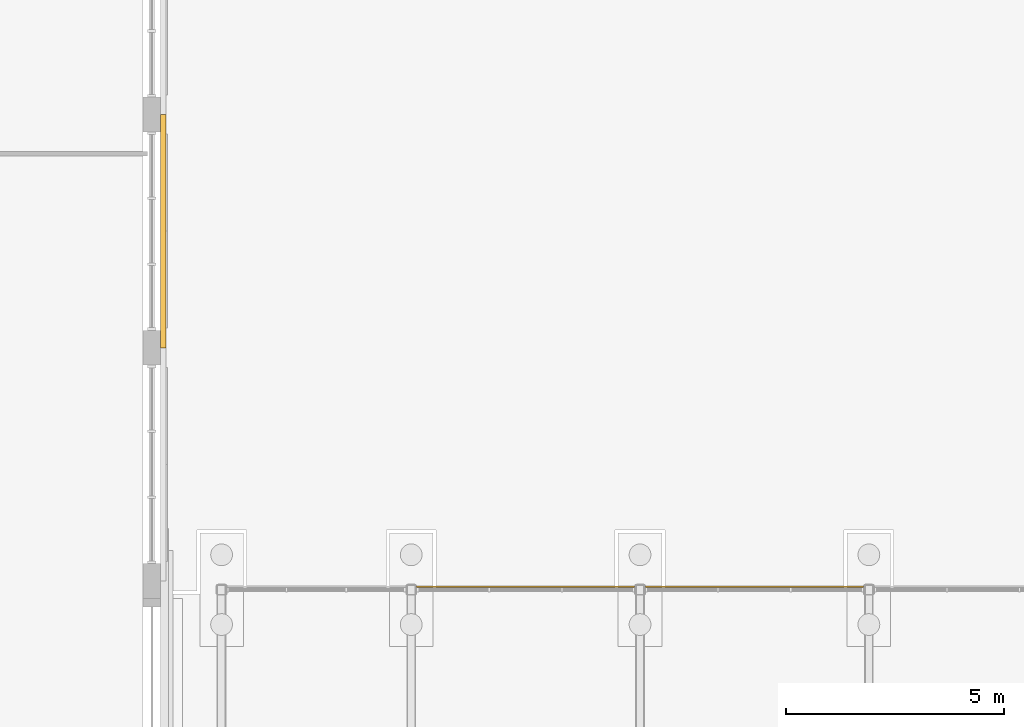
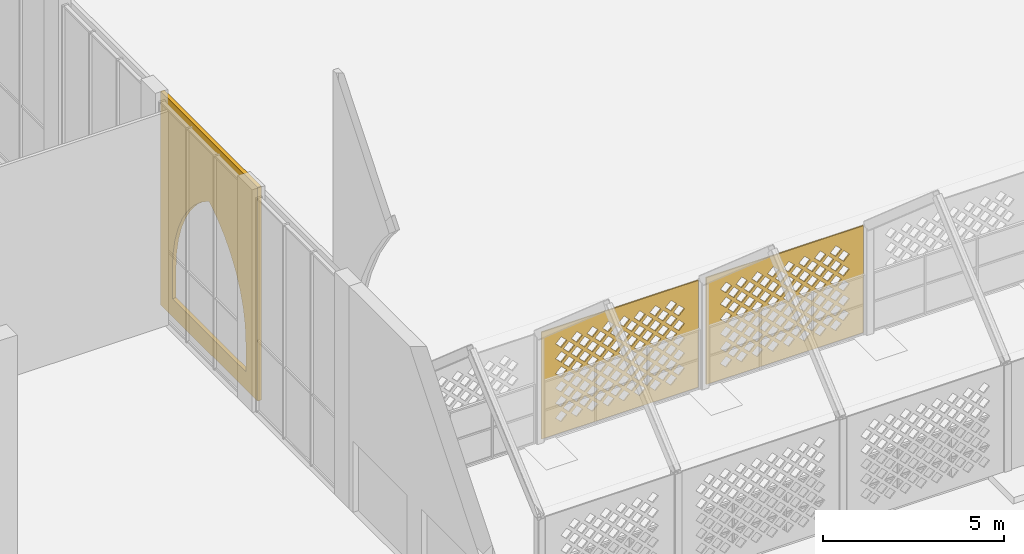
# One storey, part 67 of 79: 3 coverings.
"""IFC4 building model written with IfcOpenShell, lengths in metres."""

from ifc_helpers import new_model, si_unit, direction, frame, origin, place, context, subcontext, project, spatial, polyline, outline, extrude, material, layer, layer_set, type_object, element, save


model = new_model("IFC4")

# Units and contexts
model_context = context("Model", 3, precision=1e-05, world=origin(), true_north=direction((0.0, 1.0)))
body_context = subcontext(model_context, "Body", "Model", "MODEL_VIEW")
ifc_project = project(units=[si_unit("LENGTHUNIT", "METRE"), si_unit("AREAUNIT", "SQUARE_METRE"), si_unit("VOLUMEUNIT", "CUBIC_METRE"), si_unit("PLANEANGLEUNIT", "RADIAN"), si_unit("MASSUNIT", "GRAM", prefix="KILO")], contexts=[model_context])

# Site, building, storey
site_placement = place(None, origin())
site = spatial("IfcSite", under=ifc_project, at=site_placement, CompositionType="ELEMENT")
building_placement = place(site_placement, origin())
building = spatial("IfcBuilding", under=site, at=building_placement, Name="Noorbagh Ring Tower", CompositionType="ELEMENT")
storey_placement = place(building_placement, origin())
storey = spatial("IfcBuildingStorey", under=building, at=storey_placement, Name="L00", CompositionType="ELEMENT", Elevation=0.0)

# Coverings
ifc_material_1 = material(Name="Red sandstone jali", Category="masonry")
ifc_layer_1 = layer(ifc_material_1, 0.0400390625)
ifc_layer_set_1 = layer_set([ifc_layer_1], Name="Red sandstone jali")
covering_type_1 = type_object("IfcCoveringType", Name="AR-JALI", PredefinedType="USERDEFINED", material=ifc_layer_set_1)
covering_1_placement = place(storey_placement, frame((-84.125, 8.889892578125, 0.0), z_axis=(0.0, 1.0, 0.0), x_axis=(-1.0, 0.0, 0.0)))
element("IfcCovering", 1, at=covering_1_placement, inside=storey, type_object=covering_type_1, Name="Jali screen", ObjectType="SCREEN", PredefinedType="USERDEFINED", context=body_context, shape_type="SweptSolid", body=[
    extrude(outline(polyline([(0.0, 0.0), (5.0, 0.0), (5.0, 3.60009765625), (0.0, 3.60009765625), (0.0, 0.0)]), holes=[polyline([(0.695068359375, 0.550048828125), (0.875, 0.3701171875), (1.054931640625, 0.550048828125), (0.875, 0.72998046875), (0.695068359375, 0.550048828125)]), polyline([(1.195068359375, 0.550048828125), (1.375, 0.3701171875), (1.554931640625, 0.550048828125), (1.375, 0.72998046875), (1.195068359375, 0.550048828125)]), polyline([(1.695068359375, 0.550048828125), (1.875, 0.3701171875), (2.054931640625, 0.550048828125), (1.875, 0.72998046875), (1.695068359375, 0.550048828125)]), polyline([(2.195068359375, 0.550048828125), (2.375, 0.3701171875), (2.554931640625, 0.550048828125), (2.375, 0.72998046875), (2.195068359375, 0.550048828125)]), polyline([(2.695068359375, 0.550048828125), (2.875, 0.3701171875), (3.054931640625, 0.550048828125), (2.875, 0.72998046875), (2.695068359375, 0.550048828125)]), polyline([(3.195068359375, 0.550048828125), (3.375, 0.3701171875), (3.554931640625, 0.550048828125), (3.375, 0.72998046875), (3.195068359375, 0.550048828125)]), polyline([(3.695068359375, 0.550048828125), (3.875, 0.3701171875), (4.054931640625, 0.550048828125), (3.875, 0.72998046875), (3.695068359375, 0.550048828125)]), polyline([(4.195068359375, 0.550048828125), (4.375, 0.3701171875), (4.554931640625, 0.550048828125), (4.375, 0.72998046875), (4.195068359375, 0.550048828125)]), polyline([(0.445068359375, 0.800048828125), (0.625, 0.6201171875), (0.804931640625, 0.800048828125), (0.625, 0.97998046875), (0.445068359375, 0.800048828125)]), polyline([(0.945068359375, 0.800048828125), (1.125, 0.6201171875), (1.304931640625, 0.800048828125), (1.125, 0.97998046875), (0.945068359375, 0.800048828125)]), polyline([(1.445068359375, 0.800048828125), (1.625, 0.6201171875), (1.804931640625, 0.800048828125), (1.625, 0.97998046875), (1.445068359375, 0.800048828125)]), polyline([(1.945068359375, 0.800048828125), (2.125, 0.6201171875), (2.304931640625, 0.800048828125), (2.125, 0.97998046875), (1.945068359375, 0.800048828125)]), polyline([(2.445068359375, 0.800048828125), (2.625, 0.6201171875), (2.804931640625, 0.800048828125), (2.625, 0.97998046875), (2.445068359375, 0.800048828125)]), polyline([(2.945068359375, 0.800048828125), (3.125, 0.6201171875), (3.304931640625, 0.800048828125), (3.125, 0.97998046875), (2.945068359375, 0.800048828125)]), polyline([(3.445068359375, 0.800048828125), (3.625, 0.6201171875), (3.804931640625, 0.800048828125), (3.625, 0.97998046875), (3.445068359375, 0.800048828125)]), polyline([(3.945068359375, 0.800048828125), (4.125, 0.6201171875), (4.304931640625, 0.800048828125), (4.125, 0.97998046875), (3.945068359375, 0.800048828125)]), polyline([(0.695068359375, 1.050048828125), (0.875, 0.8701171875), (1.054931640625, 1.050048828125), (0.875, 1.22998046875), (0.695068359375, 1.050048828125)]), polyline([(1.195068359375, 1.050048828125), (1.375, 0.8701171875), (1.554931640625, 1.050048828125), (1.375, 1.22998046875), (1.195068359375, 1.050048828125)]), polyline([(1.695068359375, 1.050048828125), (1.875, 0.8701171875), (2.054931640625, 1.050048828125), (1.875, 1.22998046875), (1.695068359375, 1.050048828125)]), polyline([(2.195068359375, 1.050048828125), (2.375, 0.8701171875), (2.554931640625, 1.050048828125), (2.375, 1.22998046875), (2.195068359375, 1.050048828125)]), polyline([(2.695068359375, 1.050048828125), (2.875, 0.8701171875), (3.054931640625, 1.050048828125), (2.875, 1.22998046875), (2.695068359375, 1.050048828125)]), polyline([(3.195068359375, 1.050048828125), (3.375, 0.8701171875), (3.554931640625, 1.050048828125), (3.375, 1.22998046875), (3.195068359375, 1.050048828125)]), polyline([(3.695068359375, 1.050048828125), (3.875, 0.8701171875), (4.054931640625, 1.050048828125), (3.875, 1.22998046875), (3.695068359375, 1.050048828125)]), polyline([(4.195068359375, 1.050048828125), (4.375, 0.8701171875), (4.554931640625, 1.050048828125), (4.375, 1.22998046875), (4.195068359375, 1.050048828125)]), polyline([(0.445068359375, 1.300048828125), (0.625, 1.1201171875), (0.804931640625, 1.300048828125), (0.625, 1.47998046875), (0.445068359375, 1.300048828125)]), polyline([(0.945068359375, 1.300048828125), (1.125, 1.1201171875), (1.304931640625, 1.300048828125), (1.125, 1.47998046875), (0.945068359375, 1.300048828125)]), polyline([(1.445068359375, 1.300048828125), (1.625, 1.1201171875), (1.804931640625, 1.300048828125), (1.625, 1.47998046875), (1.445068359375, 1.300048828125)]), polyline([(1.945068359375, 1.300048828125), (2.125, 1.1201171875), (2.304931640625, 1.300048828125), (2.125, 1.47998046875), (1.945068359375, 1.300048828125)]), polyline([(2.445068359375, 1.300048828125), (2.625, 1.1201171875), (2.804931640625, 1.300048828125), (2.625, 1.47998046875), (2.445068359375, 1.300048828125)]), polyline([(2.945068359375, 1.300048828125), (3.125, 1.1201171875), (3.304931640625, 1.300048828125), (3.125, 1.47998046875), (2.945068359375, 1.300048828125)]), polyline([(3.445068359375, 1.300048828125), (3.625, 1.1201171875), (3.804931640625, 1.300048828125), (3.625, 1.47998046875), (3.445068359375, 1.300048828125)]), polyline([(3.945068359375, 1.300048828125), (4.125, 1.1201171875), (4.304931640625, 1.300048828125), (4.125, 1.47998046875), (3.945068359375, 1.300048828125)]), polyline([(0.695068359375, 1.550048828125), (0.875, 1.3701171875), (1.054931640625, 1.550048828125), (0.875, 1.72998046875), (0.695068359375, 1.550048828125)]), polyline([(1.195068359375, 1.550048828125), (1.375, 1.3701171875), (1.554931640625, 1.550048828125), (1.375, 1.72998046875), (1.195068359375, 1.550048828125)]), polyline([(1.695068359375, 1.550048828125), (1.875, 1.3701171875), (2.054931640625, 1.550048828125), (1.875, 1.72998046875), (1.695068359375, 1.550048828125)]), polyline([(2.195068359375, 1.550048828125), (2.375, 1.3701171875), (2.554931640625, 1.550048828125), (2.375, 1.72998046875), (2.195068359375, 1.550048828125)]), polyline([(2.695068359375, 1.550048828125), (2.875, 1.3701171875), (3.054931640625, 1.550048828125), (2.875, 1.72998046875), (2.695068359375, 1.550048828125)]), polyline([(3.195068359375, 1.550048828125), (3.375, 1.3701171875), (3.554931640625, 1.550048828125), (3.375, 1.72998046875), (3.195068359375, 1.550048828125)]), polyline([(3.695068359375, 1.550048828125), (3.875, 1.3701171875), (4.054931640625, 1.550048828125), (3.875, 1.72998046875), (3.695068359375, 1.550048828125)]), polyline([(4.195068359375, 1.550048828125), (4.375, 1.3701171875), (4.554931640625, 1.550048828125), (4.375, 1.72998046875), (4.195068359375, 1.550048828125)]), polyline([(0.445068359375, 1.800048828125), (0.625, 1.6201171875), (0.804931640625, 1.800048828125), (0.625, 1.97998046875), (0.445068359375, 1.800048828125)]), polyline([(0.945068359375, 1.800048828125), (1.125, 1.6201171875), (1.304931640625, 1.800048828125), (1.125, 1.97998046875), (0.945068359375, 1.800048828125)]), polyline([(1.445068359375, 1.800048828125), (1.625, 1.6201171875), (1.804931640625, 1.800048828125), (1.625, 1.97998046875), (1.445068359375, 1.800048828125)]), polyline([(1.945068359375, 1.800048828125), (2.125, 1.6201171875), (2.304931640625, 1.800048828125), (2.125, 1.97998046875), (1.945068359375, 1.800048828125)]), polyline([(2.445068359375, 1.800048828125), (2.625, 1.6201171875), (2.804931640625, 1.800048828125), (2.625, 1.97998046875), (2.445068359375, 1.800048828125)]), polyline([(2.945068359375, 1.800048828125), (3.125, 1.6201171875), (3.304931640625, 1.800048828125), (3.125, 1.97998046875), (2.945068359375, 1.800048828125)]), polyline([(3.445068359375, 1.800048828125), (3.625, 1.6201171875), (3.804931640625, 1.800048828125), (3.625, 1.97998046875), (3.445068359375, 1.800048828125)]), polyline([(3.945068359375, 1.800048828125), (4.125, 1.6201171875), (4.304931640625, 1.800048828125), (4.125, 1.97998046875), (3.945068359375, 1.800048828125)]), polyline([(0.695068359375, 2.050048828125), (0.875, 1.8701171875), (1.054931640625, 2.050048828125), (0.875, 2.22998046875), (0.695068359375, 2.050048828125)]), polyline([(1.195068359375, 2.050048828125), (1.375, 1.8701171875), (1.554931640625, 2.050048828125), (1.375, 2.22998046875), (1.195068359375, 2.050048828125)]), polyline([(1.695068359375, 2.050048828125), (1.875, 1.8701171875), (2.054931640625, 2.050048828125), (1.875, 2.22998046875), (1.695068359375, 2.050048828125)]), polyline([(2.195068359375, 2.050048828125), (2.375, 1.8701171875), (2.554931640625, 2.050048828125), (2.375, 2.22998046875), (2.195068359375, 2.050048828125)]), polyline([(2.695068359375, 2.050048828125), (2.875, 1.8701171875), (3.054931640625, 2.050048828125), (2.875, 2.22998046875), (2.695068359375, 2.050048828125)]), polyline([(3.195068359375, 2.050048828125), (3.375, 1.8701171875), (3.554931640625, 2.050048828125), (3.375, 2.22998046875), (3.195068359375, 2.050048828125)]), polyline([(3.695068359375, 2.050048828125), (3.875, 1.8701171875), (4.054931640625, 2.050048828125), (3.875, 2.22998046875), (3.695068359375, 2.050048828125)]), polyline([(4.195068359375, 2.050048828125), (4.375, 1.8701171875), (4.554931640625, 2.050048828125), (4.375, 2.22998046875), (4.195068359375, 2.050048828125)]), polyline([(0.445068359375, 2.300048828125), (0.625, 2.1201171875), (0.804931640625, 2.300048828125), (0.625, 2.47998046875), (0.445068359375, 2.300048828125)]), polyline([(0.945068359375, 2.300048828125), (1.125, 2.1201171875), (1.304931640625, 2.300048828125), (1.125, 2.47998046875), (0.945068359375, 2.300048828125)]), polyline([(1.445068359375, 2.300048828125), (1.625, 2.1201171875), (1.804931640625, 2.300048828125), (1.625, 2.47998046875), (1.445068359375, 2.300048828125)]), polyline([(1.945068359375, 2.300048828125), (2.125, 2.1201171875), (2.304931640625, 2.300048828125), (2.125, 2.47998046875), (1.945068359375, 2.300048828125)]), polyline([(2.445068359375, 2.300048828125), (2.625, 2.1201171875), (2.804931640625, 2.300048828125), (2.625, 2.47998046875), (2.445068359375, 2.300048828125)]), polyline([(2.945068359375, 2.300048828125), (3.125, 2.1201171875), (3.304931640625, 2.300048828125), (3.125, 2.47998046875), (2.945068359375, 2.300048828125)]), polyline([(3.445068359375, 2.300048828125), (3.625, 2.1201171875), (3.804931640625, 2.300048828125), (3.625, 2.47998046875), (3.445068359375, 2.300048828125)]), polyline([(3.945068359375, 2.300048828125), (4.125, 2.1201171875), (4.304931640625, 2.300048828125), (4.125, 2.47998046875), (3.945068359375, 2.300048828125)]), polyline([(0.695068359375, 2.550048828125), (0.875, 2.3701171875), (1.054931640625, 2.550048828125), (0.875, 2.72998046875), (0.695068359375, 2.550048828125)]), polyline([(1.195068359375, 2.550048828125), (1.375, 2.3701171875), (1.554931640625, 2.550048828125), (1.375, 2.72998046875), (1.195068359375, 2.550048828125)]), polyline([(1.695068359375, 2.550048828125), (1.875, 2.3701171875), (2.054931640625, 2.550048828125), (1.875, 2.72998046875), (1.695068359375, 2.550048828125)]), polyline([(2.195068359375, 2.550048828125), (2.375, 2.3701171875), (2.554931640625, 2.550048828125), (2.375, 2.72998046875), (2.195068359375, 2.550048828125)]), polyline([(2.695068359375, 2.550048828125), (2.875, 2.3701171875), (3.054931640625, 2.550048828125), (2.875, 2.72998046875), (2.695068359375, 2.550048828125)]), polyline([(3.195068359375, 2.550048828125), (3.375, 2.3701171875), (3.554931640625, 2.550048828125), (3.375, 2.72998046875), (3.195068359375, 2.550048828125)]), polyline([(3.695068359375, 2.550048828125), (3.875, 2.3701171875), (4.054931640625, 2.550048828125), (3.875, 2.72998046875), (3.695068359375, 2.550048828125)]), polyline([(4.195068359375, 2.550048828125), (4.375, 2.3701171875), (4.554931640625, 2.550048828125), (4.375, 2.72998046875), (4.195068359375, 2.550048828125)]), polyline([(0.445068359375, 2.800048828125), (0.625, 2.6201171875), (0.804931640625, 2.800048828125), (0.625, 2.97998046875), (0.445068359375, 2.800048828125)]), polyline([(0.945068359375, 2.800048828125), (1.125, 2.6201171875), (1.304931640625, 2.800048828125), (1.125, 2.97998046875), (0.945068359375, 2.800048828125)]), polyline([(1.445068359375, 2.800048828125), (1.625, 2.6201171875), (1.804931640625, 2.800048828125), (1.625, 2.97998046875), (1.445068359375, 2.800048828125)]), polyline([(1.945068359375, 2.800048828125), (2.125, 2.6201171875), (2.304931640625, 2.800048828125), (2.125, 2.97998046875), (1.945068359375, 2.800048828125)]), polyline([(2.445068359375, 2.800048828125), (2.625, 2.6201171875), (2.804931640625, 2.800048828125), (2.625, 2.97998046875), (2.445068359375, 2.800048828125)]), polyline([(2.945068359375, 2.800048828125), (3.125, 2.6201171875), (3.304931640625, 2.800048828125), (3.125, 2.97998046875), (2.945068359375, 2.800048828125)]), polyline([(3.445068359375, 2.800048828125), (3.625, 2.6201171875), (3.804931640625, 2.800048828125), (3.625, 2.97998046875), (3.445068359375, 2.800048828125)]), polyline([(3.945068359375, 2.800048828125), (4.125, 2.6201171875), (4.304931640625, 2.800048828125), (4.125, 2.97998046875), (3.945068359375, 2.800048828125)]), polyline([(0.695068359375, 3.050048828125), (0.875, 2.8701171875), (1.054931640625, 3.050048828125), (0.875, 3.22998046875), (0.695068359375, 3.050048828125)]), polyline([(1.195068359375, 3.050048828125), (1.375, 2.8701171875), (1.554931640625, 3.050048828125), (1.375, 3.22998046875), (1.195068359375, 3.050048828125)]), polyline([(1.695068359375, 3.050048828125), (1.875, 2.8701171875), (2.054931640625, 3.050048828125), (1.875, 3.22998046875), (1.695068359375, 3.050048828125)]), polyline([(2.195068359375, 3.050048828125), (2.375, 2.8701171875), (2.554931640625, 3.050048828125), (2.375, 3.22998046875), (2.195068359375, 3.050048828125)]), polyline([(2.695068359375, 3.050048828125), (2.875, 2.8701171875), (3.054931640625, 3.050048828125), (2.875, 3.22998046875), (2.695068359375, 3.050048828125)]), polyline([(3.195068359375, 3.050048828125), (3.375, 2.8701171875), (3.554931640625, 3.050048828125), (3.375, 3.22998046875), (3.195068359375, 3.050048828125)]), polyline([(3.695068359375, 3.050048828125), (3.875, 2.8701171875), (4.054931640625, 3.050048828125), (3.875, 3.22998046875), (3.695068359375, 3.050048828125)]), polyline([(4.195068359375, 3.050048828125), (4.375, 2.8701171875), (4.554931640625, 3.050048828125), (4.375, 3.22998046875), (4.195068359375, 3.050048828125)])]), origin(), (0.0, 0.0, -1.0), 0.0400390625),
])
covering_2_placement = place(storey_placement, frame((-78.875, 8.889892578125, 0.0), z_axis=(0.0, 1.0, 0.0), x_axis=(-1.0, 0.0, 0.0)))
element("IfcCovering", 2, at=covering_2_placement, inside=storey, type_object=covering_type_1, Name="Jali screen", ObjectType="SCREEN", PredefinedType="USERDEFINED", context=body_context, shape_type="SweptSolid", body=[
    extrude(outline(polyline([(0.0, 0.0), (5.0, 0.0), (5.0, 3.60009765625), (0.0, 3.60009765625), (0.0, 0.0)]), holes=[polyline([(0.695068359375, 0.550048828125), (0.875, 0.3701171875), (1.054931640625, 0.550048828125), (0.875, 0.72998046875), (0.695068359375, 0.550048828125)]), polyline([(1.195068359375, 0.550048828125), (1.375, 0.3701171875), (1.554931640625, 0.550048828125), (1.375, 0.72998046875), (1.195068359375, 0.550048828125)]), polyline([(1.695068359375, 0.550048828125), (1.875, 0.3701171875), (2.054931640625, 0.550048828125), (1.875, 0.72998046875), (1.695068359375, 0.550048828125)]), polyline([(2.195068359375, 0.550048828125), (2.375, 0.3701171875), (2.554931640625, 0.550048828125), (2.375, 0.72998046875), (2.195068359375, 0.550048828125)]), polyline([(2.695068359375, 0.550048828125), (2.875, 0.3701171875), (3.054931640625, 0.550048828125), (2.875, 0.72998046875), (2.695068359375, 0.550048828125)]), polyline([(3.195068359375, 0.550048828125), (3.375, 0.3701171875), (3.554931640625, 0.550048828125), (3.375, 0.72998046875), (3.195068359375, 0.550048828125)]), polyline([(3.695068359375, 0.550048828125), (3.875, 0.3701171875), (4.054931640625, 0.550048828125), (3.875, 0.72998046875), (3.695068359375, 0.550048828125)]), polyline([(4.195068359375, 0.550048828125), (4.375, 0.3701171875), (4.554931640625, 0.550048828125), (4.375, 0.72998046875), (4.195068359375, 0.550048828125)]), polyline([(0.445068359375, 0.800048828125), (0.625, 0.6201171875), (0.804931640625, 0.800048828125), (0.625, 0.97998046875), (0.445068359375, 0.800048828125)]), polyline([(0.945068359375, 0.800048828125), (1.125, 0.6201171875), (1.304931640625, 0.800048828125), (1.125, 0.97998046875), (0.945068359375, 0.800048828125)]), polyline([(1.445068359375, 0.800048828125), (1.625, 0.6201171875), (1.804931640625, 0.800048828125), (1.625, 0.97998046875), (1.445068359375, 0.800048828125)]), polyline([(1.945068359375, 0.800048828125), (2.125, 0.6201171875), (2.304931640625, 0.800048828125), (2.125, 0.97998046875), (1.945068359375, 0.800048828125)]), polyline([(2.445068359375, 0.800048828125), (2.625, 0.6201171875), (2.804931640625, 0.800048828125), (2.625, 0.97998046875), (2.445068359375, 0.800048828125)]), polyline([(2.945068359375, 0.800048828125), (3.125, 0.6201171875), (3.304931640625, 0.800048828125), (3.125, 0.97998046875), (2.945068359375, 0.800048828125)]), polyline([(3.445068359375, 0.800048828125), (3.625, 0.6201171875), (3.804931640625, 0.800048828125), (3.625, 0.97998046875), (3.445068359375, 0.800048828125)]), polyline([(3.945068359375, 0.800048828125), (4.125, 0.6201171875), (4.304931640625, 0.800048828125), (4.125, 0.97998046875), (3.945068359375, 0.800048828125)]), polyline([(0.695068359375, 1.050048828125), (0.875, 0.8701171875), (1.054931640625, 1.050048828125), (0.875, 1.22998046875), (0.695068359375, 1.050048828125)]), polyline([(1.195068359375, 1.050048828125), (1.375, 0.8701171875), (1.554931640625, 1.050048828125), (1.375, 1.22998046875), (1.195068359375, 1.050048828125)]), polyline([(1.695068359375, 1.050048828125), (1.875, 0.8701171875), (2.054931640625, 1.050048828125), (1.875, 1.22998046875), (1.695068359375, 1.050048828125)]), polyline([(2.195068359375, 1.050048828125), (2.375, 0.8701171875), (2.554931640625, 1.050048828125), (2.375, 1.22998046875), (2.195068359375, 1.050048828125)]), polyline([(2.695068359375, 1.050048828125), (2.875, 0.8701171875), (3.054931640625, 1.050048828125), (2.875, 1.22998046875), (2.695068359375, 1.050048828125)]), polyline([(3.195068359375, 1.050048828125), (3.375, 0.8701171875), (3.554931640625, 1.050048828125), (3.375, 1.22998046875), (3.195068359375, 1.050048828125)]), polyline([(3.695068359375, 1.050048828125), (3.875, 0.8701171875), (4.054931640625, 1.050048828125), (3.875, 1.22998046875), (3.695068359375, 1.050048828125)]), polyline([(4.195068359375, 1.050048828125), (4.375, 0.8701171875), (4.554931640625, 1.050048828125), (4.375, 1.22998046875), (4.195068359375, 1.050048828125)]), polyline([(0.445068359375, 1.300048828125), (0.625, 1.1201171875), (0.804931640625, 1.300048828125), (0.625, 1.47998046875), (0.445068359375, 1.300048828125)]), polyline([(0.945068359375, 1.300048828125), (1.125, 1.1201171875), (1.304931640625, 1.300048828125), (1.125, 1.47998046875), (0.945068359375, 1.300048828125)]), polyline([(1.445068359375, 1.300048828125), (1.625, 1.1201171875), (1.804931640625, 1.300048828125), (1.625, 1.47998046875), (1.445068359375, 1.300048828125)]), polyline([(1.945068359375, 1.300048828125), (2.125, 1.1201171875), (2.304931640625, 1.300048828125), (2.125, 1.47998046875), (1.945068359375, 1.300048828125)]), polyline([(2.445068359375, 1.300048828125), (2.625, 1.1201171875), (2.804931640625, 1.300048828125), (2.625, 1.47998046875), (2.445068359375, 1.300048828125)]), polyline([(2.945068359375, 1.300048828125), (3.125, 1.1201171875), (3.304931640625, 1.300048828125), (3.125, 1.47998046875), (2.945068359375, 1.300048828125)]), polyline([(3.445068359375, 1.300048828125), (3.625, 1.1201171875), (3.804931640625, 1.300048828125), (3.625, 1.47998046875), (3.445068359375, 1.300048828125)]), polyline([(3.945068359375, 1.300048828125), (4.125, 1.1201171875), (4.304931640625, 1.300048828125), (4.125, 1.47998046875), (3.945068359375, 1.300048828125)]), polyline([(0.695068359375, 1.550048828125), (0.875, 1.3701171875), (1.054931640625, 1.550048828125), (0.875, 1.72998046875), (0.695068359375, 1.550048828125)]), polyline([(1.195068359375, 1.550048828125), (1.375, 1.3701171875), (1.554931640625, 1.550048828125), (1.375, 1.72998046875), (1.195068359375, 1.550048828125)]), polyline([(1.695068359375, 1.550048828125), (1.875, 1.3701171875), (2.054931640625, 1.550048828125), (1.875, 1.72998046875), (1.695068359375, 1.550048828125)]), polyline([(2.195068359375, 1.550048828125), (2.375, 1.3701171875), (2.554931640625, 1.550048828125), (2.375, 1.72998046875), (2.195068359375, 1.550048828125)]), polyline([(2.695068359375, 1.550048828125), (2.875, 1.3701171875), (3.054931640625, 1.550048828125), (2.875, 1.72998046875), (2.695068359375, 1.550048828125)]), polyline([(3.195068359375, 1.550048828125), (3.375, 1.3701171875), (3.554931640625, 1.550048828125), (3.375, 1.72998046875), (3.195068359375, 1.550048828125)]), polyline([(3.695068359375, 1.550048828125), (3.875, 1.3701171875), (4.054931640625, 1.550048828125), (3.875, 1.72998046875), (3.695068359375, 1.550048828125)]), polyline([(4.195068359375, 1.550048828125), (4.375, 1.3701171875), (4.554931640625, 1.550048828125), (4.375, 1.72998046875), (4.195068359375, 1.550048828125)]), polyline([(0.445068359375, 1.800048828125), (0.625, 1.6201171875), (0.804931640625, 1.800048828125), (0.625, 1.97998046875), (0.445068359375, 1.800048828125)]), polyline([(0.945068359375, 1.800048828125), (1.125, 1.6201171875), (1.304931640625, 1.800048828125), (1.125, 1.97998046875), (0.945068359375, 1.800048828125)]), polyline([(1.445068359375, 1.800048828125), (1.625, 1.6201171875), (1.804931640625, 1.800048828125), (1.625, 1.97998046875), (1.445068359375, 1.800048828125)]), polyline([(1.945068359375, 1.800048828125), (2.125, 1.6201171875), (2.304931640625, 1.800048828125), (2.125, 1.97998046875), (1.945068359375, 1.800048828125)]), polyline([(2.445068359375, 1.800048828125), (2.625, 1.6201171875), (2.804931640625, 1.800048828125), (2.625, 1.97998046875), (2.445068359375, 1.800048828125)]), polyline([(2.945068359375, 1.800048828125), (3.125, 1.6201171875), (3.304931640625, 1.800048828125), (3.125, 1.97998046875), (2.945068359375, 1.800048828125)]), polyline([(3.445068359375, 1.800048828125), (3.625, 1.6201171875), (3.804931640625, 1.800048828125), (3.625, 1.97998046875), (3.445068359375, 1.800048828125)]), polyline([(3.945068359375, 1.800048828125), (4.125, 1.6201171875), (4.304931640625, 1.800048828125), (4.125, 1.97998046875), (3.945068359375, 1.800048828125)]), polyline([(0.695068359375, 2.050048828125), (0.875, 1.8701171875), (1.054931640625, 2.050048828125), (0.875, 2.22998046875), (0.695068359375, 2.050048828125)]), polyline([(1.195068359375, 2.050048828125), (1.375, 1.8701171875), (1.554931640625, 2.050048828125), (1.375, 2.22998046875), (1.195068359375, 2.050048828125)]), polyline([(1.695068359375, 2.050048828125), (1.875, 1.8701171875), (2.054931640625, 2.050048828125), (1.875, 2.22998046875), (1.695068359375, 2.050048828125)]), polyline([(2.195068359375, 2.050048828125), (2.375, 1.8701171875), (2.554931640625, 2.050048828125), (2.375, 2.22998046875), (2.195068359375, 2.050048828125)]), polyline([(2.695068359375, 2.050048828125), (2.875, 1.8701171875), (3.054931640625, 2.050048828125), (2.875, 2.22998046875), (2.695068359375, 2.050048828125)]), polyline([(3.195068359375, 2.050048828125), (3.375, 1.8701171875), (3.554931640625, 2.050048828125), (3.375, 2.22998046875), (3.195068359375, 2.050048828125)]), polyline([(3.695068359375, 2.050048828125), (3.875, 1.8701171875), (4.054931640625, 2.050048828125), (3.875, 2.22998046875), (3.695068359375, 2.050048828125)]), polyline([(4.195068359375, 2.050048828125), (4.375, 1.8701171875), (4.554931640625, 2.050048828125), (4.375, 2.22998046875), (4.195068359375, 2.050048828125)]), polyline([(0.445068359375, 2.300048828125), (0.625, 2.1201171875), (0.804931640625, 2.300048828125), (0.625, 2.47998046875), (0.445068359375, 2.300048828125)]), polyline([(0.945068359375, 2.300048828125), (1.125, 2.1201171875), (1.304931640625, 2.300048828125), (1.125, 2.47998046875), (0.945068359375, 2.300048828125)]), polyline([(1.445068359375, 2.300048828125), (1.625, 2.1201171875), (1.804931640625, 2.300048828125), (1.625, 2.47998046875), (1.445068359375, 2.300048828125)]), polyline([(1.945068359375, 2.300048828125), (2.125, 2.1201171875), (2.304931640625, 2.300048828125), (2.125, 2.47998046875), (1.945068359375, 2.300048828125)]), polyline([(2.445068359375, 2.300048828125), (2.625, 2.1201171875), (2.804931640625, 2.300048828125), (2.625, 2.47998046875), (2.445068359375, 2.300048828125)]), polyline([(2.945068359375, 2.300048828125), (3.125, 2.1201171875), (3.304931640625, 2.300048828125), (3.125, 2.47998046875), (2.945068359375, 2.300048828125)]), polyline([(3.445068359375, 2.300048828125), (3.625, 2.1201171875), (3.804931640625, 2.300048828125), (3.625, 2.47998046875), (3.445068359375, 2.300048828125)]), polyline([(3.945068359375, 2.300048828125), (4.125, 2.1201171875), (4.304931640625, 2.300048828125), (4.125, 2.47998046875), (3.945068359375, 2.300048828125)]), polyline([(0.695068359375, 2.550048828125), (0.875, 2.3701171875), (1.054931640625, 2.550048828125), (0.875, 2.72998046875), (0.695068359375, 2.550048828125)]), polyline([(1.195068359375, 2.550048828125), (1.375, 2.3701171875), (1.554931640625, 2.550048828125), (1.375, 2.72998046875), (1.195068359375, 2.550048828125)]), polyline([(1.695068359375, 2.550048828125), (1.875, 2.3701171875), (2.054931640625, 2.550048828125), (1.875, 2.72998046875), (1.695068359375, 2.550048828125)]), polyline([(2.195068359375, 2.550048828125), (2.375, 2.3701171875), (2.554931640625, 2.550048828125), (2.375, 2.72998046875), (2.195068359375, 2.550048828125)]), polyline([(2.695068359375, 2.550048828125), (2.875, 2.3701171875), (3.054931640625, 2.550048828125), (2.875, 2.72998046875), (2.695068359375, 2.550048828125)]), polyline([(3.195068359375, 2.550048828125), (3.375, 2.3701171875), (3.554931640625, 2.550048828125), (3.375, 2.72998046875), (3.195068359375, 2.550048828125)]), polyline([(3.695068359375, 2.550048828125), (3.875, 2.3701171875), (4.054931640625, 2.550048828125), (3.875, 2.72998046875), (3.695068359375, 2.550048828125)]), polyline([(4.195068359375, 2.550048828125), (4.375, 2.3701171875), (4.554931640625, 2.550048828125), (4.375, 2.72998046875), (4.195068359375, 2.550048828125)]), polyline([(0.445068359375, 2.800048828125), (0.625, 2.6201171875), (0.804931640625, 2.800048828125), (0.625, 2.97998046875), (0.445068359375, 2.800048828125)]), polyline([(0.945068359375, 2.800048828125), (1.125, 2.6201171875), (1.304931640625, 2.800048828125), (1.125, 2.97998046875), (0.945068359375, 2.800048828125)]), polyline([(1.445068359375, 2.800048828125), (1.625, 2.6201171875), (1.804931640625, 2.800048828125), (1.625, 2.97998046875), (1.445068359375, 2.800048828125)]), polyline([(1.945068359375, 2.800048828125), (2.125, 2.6201171875), (2.304931640625, 2.800048828125), (2.125, 2.97998046875), (1.945068359375, 2.800048828125)]), polyline([(2.445068359375, 2.800048828125), (2.625, 2.6201171875), (2.804931640625, 2.800048828125), (2.625, 2.97998046875), (2.445068359375, 2.800048828125)]), polyline([(2.945068359375, 2.800048828125), (3.125, 2.6201171875), (3.304931640625, 2.800048828125), (3.125, 2.97998046875), (2.945068359375, 2.800048828125)]), polyline([(3.445068359375, 2.800048828125), (3.625, 2.6201171875), (3.804931640625, 2.800048828125), (3.625, 2.97998046875), (3.445068359375, 2.800048828125)]), polyline([(3.945068359375, 2.800048828125), (4.125, 2.6201171875), (4.304931640625, 2.800048828125), (4.125, 2.97998046875), (3.945068359375, 2.800048828125)]), polyline([(0.695068359375, 3.050048828125), (0.875, 2.8701171875), (1.054931640625, 3.050048828125), (0.875, 3.22998046875), (0.695068359375, 3.050048828125)]), polyline([(1.195068359375, 3.050048828125), (1.375, 2.8701171875), (1.554931640625, 3.050048828125), (1.375, 3.22998046875), (1.195068359375, 3.050048828125)]), polyline([(1.695068359375, 3.050048828125), (1.875, 2.8701171875), (2.054931640625, 3.050048828125), (1.875, 3.22998046875), (1.695068359375, 3.050048828125)]), polyline([(2.195068359375, 3.050048828125), (2.375, 2.8701171875), (2.554931640625, 3.050048828125), (2.375, 3.22998046875), (2.195068359375, 3.050048828125)]), polyline([(2.695068359375, 3.050048828125), (2.875, 2.8701171875), (3.054931640625, 3.050048828125), (2.875, 3.22998046875), (2.695068359375, 3.050048828125)]), polyline([(3.195068359375, 3.050048828125), (3.375, 2.8701171875), (3.554931640625, 3.050048828125), (3.375, 3.22998046875), (3.195068359375, 3.050048828125)]), polyline([(3.695068359375, 3.050048828125), (3.875, 2.8701171875), (4.054931640625, 3.050048828125), (3.875, 3.22998046875), (3.695068359375, 3.050048828125)]), polyline([(4.195068359375, 3.050048828125), (4.375, 2.8701171875), (4.554931640625, 3.050048828125), (4.375, 3.22998046875), (4.195068359375, 3.050048828125)])]), origin(), (0.0, 0.0, -1.0), 0.0400390625),
])
ifc_material_2 = material(Name="Red sandstone cladding", Category="masonry")
ifc_layer_2 = layer(ifc_material_2, 0.1201171875)
ifc_layer_set_2 = layer_set([ifc_layer_2], Name="Red sandstone cladding")
covering_type_2 = type_object("IfcCoveringType", Name="STH-SPANDREL", PredefinedType="USERDEFINED", material=ifc_layer_set_2)
covering_3_placement = place(storey_placement, frame((-94.8798828125, 14.35009765625, 0.0), z_axis=(1.0, 0.0, 0.0), x_axis=(0.0, 1.0, 0.0)))
element("IfcCovering", 3, at=covering_3_placement, inside=storey, type_object=covering_type_2, Name="Arch spandrel", ObjectType="ARCH", PredefinedType="USERDEFINED", context=body_context, shape_type="SweptSolid", body=[
    extrude(outline(polyline([(0.0, 0.0), (5.349853515625, 0.0), (5.349853515625, 7.199951171875), (0.0, 7.199951171875), (0.0, 0.0)]), holes=[polyline([(0.64990234375, 0.60009765625), (0.64990234375, 1.60009765625), (0.6845703125, 2.128662109375), (0.7880859375, 2.648193359375), (0.958251953125, 3.14990234375), (1.192626953125, 3.625), (1.48681640625, 4.0654296875), (1.836181640625, 4.4638671875), (2.234619140625, 4.81298828125), (2.675048828125, 5.107421875), (3.115478515625, 4.81298828125), (3.513916015625, 4.4638671875), (3.863037109375, 4.0654296875), (4.157470703125, 3.625), (4.3916015625, 3.14990234375), (4.56201171875, 2.648193359375), (4.665283203125, 2.128662109375), (4.699951171875, 1.60009765625), (4.699951171875, 0.60009765625), (0.64990234375, 0.60009765625)])]), origin(), (0.0, 0.0, -1.0), 0.1201171875),
])

save(model, "model.ifc")
